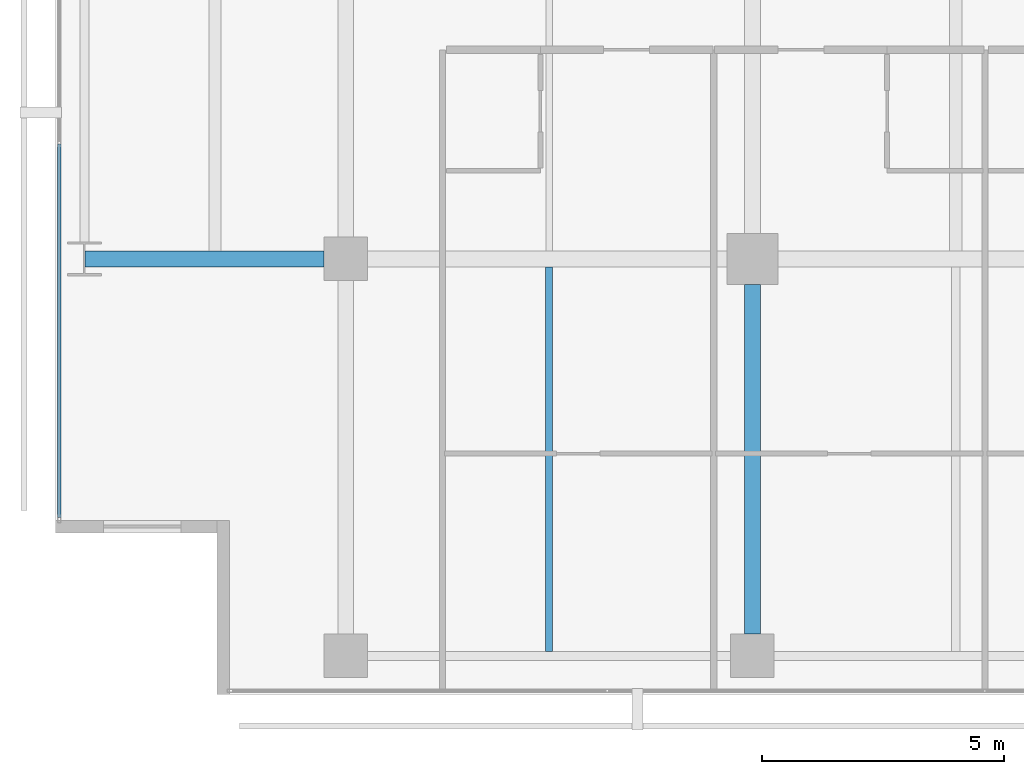
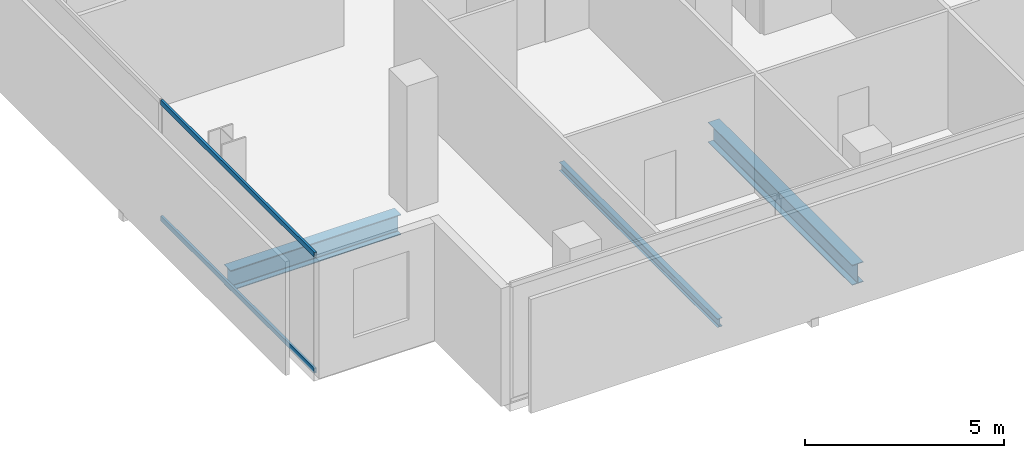
# One storey, part 4 of 40: 3 beams, 2 members, 1 element without a shape of its own.
"""IFC4 building model written with IfcOpenShell, lengths in metres."""

import ifcopenshell
import ifcopenshell.guid

model = None  # the IFC model being written
_history = None  # IfcOwnerHistory: only IFC2X3 demands one
_inside = {}  # id of a spatial element -> (the spatial element, [elements in it])
_under = {}  # id of a project, library or spatial element -> (it, [spatial elements below it])
_declared = {}  # id of a project -> (the project, [libraries it declares])
_typed = {}  # id of a type object -> (the type object, [elements of that type])
_made_of = {}  # id of a material, layer set ... -> (it, [elements and type objects made of it])


def new_model(schema):
    """Start an empty IFC model of exactly this schema.

    Asked for "IFC4X3", IfcOpenShell would pick the latest addendum, in which some entities
    have other attributes; the version numbers below select the first issue.
    IFC2X3 requires an IfcOwnerHistory on every rooted entity: one is made here for all.
    """
    global model, _history
    if schema == "IFC4X3":
        model = ifcopenshell.file(schema_version=(4, 3, 0, 0))
    else:
        model = ifcopenshell.file(schema=schema)
    _inside.clear()
    _under.clear()
    _declared.clear()
    _typed.clear()
    _made_of.clear()
    _history = None
    if model.schema == "IFC2X3":
        org = make("IfcOrganization", Name="unknown")
        user = make(
            "IfcPersonAndOrganization",
            ThePerson=make("IfcPerson", FamilyName="unknown"),
            TheOrganization=org,
        )
        app = make(
            "IfcApplication",
            ApplicationDeveloper=org,
            Version="unknown",
            ApplicationFullName="unknown",
            ApplicationIdentifier="unknown",
        )
        _history = make(
            "IfcOwnerHistory",
            OwningUser=user,
            OwningApplication=app,
            ChangeAction="ADDED",
            CreationDate=0,
        )
    return model


def make(cls, **values):
    """One entity of the class cls with the attributes given. An attribute that is None is left unset."""
    return model.create_entity(
        cls, **{name: value for name, value in values.items() if value is not None}
    )


def rooted(cls, **values):
    """An entity with a GlobalId (a new one), such as an element, a storey or a relation."""
    return make(cls, GlobalId=ifcopenshell.guid.new(), OwnerHistory=_history, **values)


def si_unit(unit_type, name, prefix=None):
    """IfcSIUnit, for example si_unit("LENGTHUNIT", "METRE", prefix="MILLI")."""
    return make("IfcSIUnit", UnitType=unit_type, Prefix=prefix, Name=name)


def assignment(units):
    """IfcUnitAssignment: the units of a project."""
    return None if units is None else make("IfcUnitAssignment", Units=units)


def point(xyz):
    """IfcCartesianPoint."""
    return None if xyz is None else make("IfcCartesianPoint", Coordinates=xyz)


def direction(xyz):
    """IfcDirection."""
    return None if xyz is None else make("IfcDirection", DirectionRatios=xyz)


def frame(location, z_axis=None, x_axis=None):
    """IfcAxis2Placement3D, a coordinate frame: its origin and axes. An axis left out is left unset."""
    return make(
        "IfcAxis2Placement3D",
        Location=point(location),
        Axis=direction(z_axis),
        RefDirection=direction(x_axis),
    )


def frame_2d(location, x_axis=None):
    """IfcAxis2Placement2D, a coordinate frame in the plane: its origin and x axis."""
    return make(
        "IfcAxis2Placement2D", Location=point(location), RefDirection=direction(x_axis)
    )


def origin():
    """The frame at (0, 0, 0) with its axes left unset."""
    return frame((0.0, 0.0, 0.0))


def origin_2d():
    """The frame at (0, 0) in the plane with its x axis left unset."""
    return frame_2d((0.0, 0.0))


def place(relative_to, where):
    """IfcLocalPlacement: puts the frame where relative to a parent placement (None: the world)."""
    return make(
        "IfcLocalPlacement", PlacementRelTo=relative_to, RelativePlacement=where
    )


def context(
    kind, dimensions, precision=None, world=None, true_north=None, identifier=None
):
    """IfcGeometricRepresentationContext, for example the 3D "Model" context."""
    return make(
        "IfcGeometricRepresentationContext",
        ContextIdentifier=identifier,
        ContextType=kind,
        CoordinateSpaceDimension=dimensions,
        Precision=precision,
        WorldCoordinateSystem=world,
        TrueNorth=true_north,
    )


def subcontext(parent, identifier, kind, view, scale=None):
    """IfcGeometricRepresentationSubContext, for example "Body" below "Model"."""
    return make(
        "IfcGeometricRepresentationSubContext",
        ContextIdentifier=identifier,
        ContextType=kind,
        ParentContext=parent,
        TargetScale=scale,
        TargetView=view,
    )


def project(units=None, contexts=None):
    """IfcProject with its units and contexts."""
    return rooted(
        "IfcProject",
        Name="project",
        RepresentationContexts=contexts,
        UnitsInContext=assignment(units),
    )


def spatial(cls, under=None, at=None, **own):
    """A site, building, storey or space (cls), placed at a placement, below another one or the project."""
    s = rooted(cls, ObjectPlacement=at, **own)
    if under is not None:
        _under.setdefault(under.id(), (under, []))[1].append(s)
    return s


def profile(cls, at=None, kind="AREA", **sizes):
    """A parametric profile (cls). Its sizes go by their IFC names, for example OverallWidth=200.0."""
    return make(cls, ProfileType=kind, Position=at, **sizes)


def hollow_rectangle(**sizes):
    """IfcRectangleHollowProfileDef."""
    return profile("IfcRectangleHollowProfileDef", **sizes)


def i_section(**sizes):
    """IfcIShapeProfileDef."""
    return profile("IfcIShapeProfileDef", **sizes)


def extrude(swept, where, along, depth):
    """IfcExtrudedAreaSolid: the profile swept, set in the frame where, extruded along a direction by depth."""
    return make(
        "IfcExtrudedAreaSolid",
        SweptArea=swept,
        Position=where,
        ExtrudedDirection=direction(along),
        Depth=depth,
    )


def shape(context_of_items, identifier, shape_type, items):
    """IfcShapeRepresentation: the items that make up one representation, for example the "Body"."""
    return make(
        "IfcShapeRepresentation",
        ContextOfItems=context_of_items,
        RepresentationIdentifier=identifier,
        RepresentationType=shape_type,
        Items=items,
    )


def material(Name=None, Category=None):
    """IfcMaterial."""
    return make("IfcMaterial", Name=Name, Category=Category)


def layer(
    of_material, thickness, ventilated=None, Name=None, Category=None, Priority=None
):
    """IfcMaterialLayer: one layer of a wall or slab, of a material (None: an air gap)."""
    return make(
        "IfcMaterialLayer",
        Material=of_material,
        LayerThickness=thickness,
        IsVentilated=ventilated,
        Name=Name,
        Category=Category,
        Priority=Priority,
    )


def layer_set(layers, Name=None):
    """IfcMaterialLayerSet."""
    return make("IfcMaterialLayerSet", MaterialLayers=layers, LayerSetName=Name)


def material_profile(
    of_material, cross_section, Name=None, Category=None, Priority=None
):
    """IfcMaterialProfile: a cross section and its material."""
    return make(
        "IfcMaterialProfile",
        Name=Name,
        Material=of_material,
        Profile=cross_section,
        Priority=Priority,
        Category=Category,
    )


def profile_set(profiles, Name=None, composite=None):
    """IfcMaterialProfileSet."""
    return make(
        "IfcMaterialProfileSet",
        Name=Name,
        MaterialProfiles=profiles,
        CompositeProfile=composite,
    )


def made_of(thing, what):
    """Note that an element or type object is made of a material, layer set ...; save() writes the relation."""
    if what is not None:
        _made_of.setdefault(what.id(), (what, []))[1].append(thing)
    return thing


def type_object(cls, material=None, **own):
    """A type object (cls), such as IfcWallType, which elements share."""
    return made_of(rooted(cls, **own), material)


def element(
    cls,
    number,
    at=None,
    inside=None,
    cuts=None,
    type_object=None,
    material=None,
    context=None,
    identifier="Body",
    shape_type=None,
    held_by="IfcProductDefinitionShape",
    body=None,
    shapes=None,
    **own,
):
    """One element of the class cls, such as IfcWall. Its Tag is "e" and its number.

    at: its placement. inside: the storey or other place that contains it. cuts: it is an
    opening in that element (IfcRelVoidsElement). A single representation is given by context,
    identifier, shape_type and body (its items); several are given by shapes. held_by: the class
    of the entity that holds the representations. save() writes the other relations.
    """
    e = rooted(cls, Tag="e%d" % number, ObjectPlacement=at, **own)
    if body is not None:
        shapes = [shape(context, identifier, shape_type, body)]
    if shapes is not None:
        e.Representation = make(held_by, Representations=shapes)
    if inside is not None:
        _inside.setdefault(inside.id(), (inside, []))[1].append(e)
    if cuts is not None:
        rooted(
            "IfcRelVoidsElement", RelatingBuildingElement=cuts, RelatedOpeningElement=e
        )
    if type_object is not None:
        _typed.setdefault(type_object.id(), (type_object, []))[1].append(e)
    return made_of(e, material)


def aggregate(whole, parts):
    """IfcRelAggregates: a whole, such as a stair, and the parts it consists of."""
    return rooted("IfcRelAggregates", RelatingObject=whole, RelatedObjects=parts)


def save(model, path):
    """Write the relations noted so far, then the file.

    IfcRelAggregates (storeys below a building ...), IfcRelContainedInSpatialStructure (elements
    in a storey), IfcRelDefinesByType, IfcRelAssociatesMaterial and IfcRelDeclares: one each for
    every whole, place, type object, material and project.
    """
    for whole, parts in _under.values():
        aggregate(whole, parts)
    for where, things in _inside.values():
        rooted(
            "IfcRelContainedInSpatialStructure",
            RelatedElements=things,
            RelatingStructure=where,
        )
    for kind, things in _typed.values():
        rooted("IfcRelDefinesByType", RelatedObjects=things, RelatingType=kind)
    for what, things in _made_of.values():
        rooted("IfcRelAssociatesMaterial", RelatedObjects=things, RelatingMaterial=what)
    for by, libraries in _declared.values():
        rooted("IfcRelDeclares", RelatingContext=by, RelatedDefinitions=libraries)
    model.write(path)


model = new_model("IFC4")

# Units and contexts
model_context = context("Model", 3, precision=1e-05, world=origin(), true_north=direction((0.0, 1.0)))
body_context = subcontext(model_context, "Body", "Model", "MODEL_VIEW")
ifc_project = project(units=[si_unit("LENGTHUNIT", "METRE"), si_unit("AREAUNIT", "SQUARE_METRE"), si_unit("VOLUMEUNIT", "CUBIC_METRE"), si_unit("PLANEANGLEUNIT", "RADIAN"), si_unit("MASSUNIT", "GRAM", prefix="KILO")], contexts=[model_context])

# Site, building, storey
site_placement = place(None, origin())
site = spatial("IfcSite", under=ifc_project, at=site_placement, CompositionType="ELEMENT")
building_placement = place(site_placement, origin())
building = spatial("IfcBuilding", under=site, at=building_placement, Name="Maruvema Waterfront Hotel and Observation Tower", CompositionType="ELEMENT")
storey_placement = place(building_placement, frame((0.0, 0.0, 53.89990234375)))
storey = spatial("IfcBuildingStorey", under=building, at=storey_placement, Name="L12", CompositionType="ELEMENT", Elevation=53.89990234375)

# Curtain wall, members
ifc_material_1 = material(Name="Anodised bronze aluminium and solar-control low-E IGU", Category="aluminium")
ifc_layer = layer(ifc_material_1, 0.159912109375, Name="Zone 1 Bronze Inner Thermal Curtain Wall System CW-02")
ifc_layer_set = layer_set([ifc_layer], Name="Anodised bronze aluminium and solar-control low-E IGU")
curtain_wall_type = type_object("IfcCurtainWallType", Name="Zone 1 Bronze Inner Thermal Curtain Wall System CW-02", PredefinedType="USERDEFINED", material=ifc_layer_set)
curtain_wall_placement = place(storey_placement, origin())
curtain_wall = element("IfcCurtainWall", 1, at=curtain_wall_placement, inside=storey, type_object=curtain_wall_type, Name="L12 Curtain Wall CW-L12-W", ObjectType="UNITISED CURTAIN WALL", PredefinedType="USERDEFINED")
ifc_material_2 = material(Name="Anodised architectural bronze aluminium", Category="aluminium")
ifc_material_profile_1 = material_profile(ifc_material_2, hollow_rectangle(XDim=0.070068359375, YDim=0.14990234375, WallThickness=0.00390625, at=origin_2d()), Name="ALU-T70x150")
ifc_profile_set_1 = profile_set([ifc_material_profile_1], Name="Anodised architectural bronze aluminium")
member_type = type_object("IfcMemberType", Name="Curtain Wall Horizontal Transom ALU-T70x150", PredefinedType="USERDEFINED", material=ifc_profile_set_1)
member_1_placement = place(storey_placement, frame((10.8798828125, 11.3701171875, 0.030029296875), z_axis=(0.0, -1.0, 0.0), x_axis=(1.0, 0.0, 0.0)))
member_1 = element("IfcMember", 2, at=member_1_placement, type_object=member_type, Name="CW-02 transom 6.1", ObjectType="TRANSOM", PredefinedType="USERDEFINED", context=body_context, shape_type="SweptSolid", body=[
    extrude(hollow_rectangle(XDim=0.070068359375, YDim=0.14990234375, WallThickness=0.00390625, at=origin_2d()), origin(), (0.0, 0.0, 1.0), 7.710205078125),
])
member_2_placement = place(storey_placement, frame((10.8798828125, 11.3701171875, 3.580078125), z_axis=(0.0, -1.0, 0.0), x_axis=(1.0, 0.0, 0.0)))
member_2 = element("IfcMember", 3, at=member_2_placement, type_object=member_type, Name="CW-02 transom 6.2", ObjectType="TRANSOM", PredefinedType="USERDEFINED", context=body_context, shape_type="SweptSolid", body=[
    extrude(hollow_rectangle(XDim=0.070068359375, YDim=0.14990234375, WallThickness=0.00390625, at=origin_2d()), origin(), (0.0, 0.0, 1.0), 7.710205078125),
])
aggregate(curtain_wall, [member_1, member_2])

# Beams
ifc_material_3 = material(Name="Steel ASTM A572 Grade 50", Category="steel")
ifc_material_profile_2 = material_profile(ifc_material_3, i_section(OverallWidth=0.326904296875, OverallDepth=0.6220703125, WebThickness=0.015380859375, FlangeThickness=0.0244140625, FilletRadius=0.01806640625, at=origin_2d()), Name="W610x195.0")
ifc_profile_set_2 = profile_set([ifc_material_profile_2], Name="Steel ASTM A572 Grade 50")
beam_type_1 = type_object("IfcBeamType", Name="Primary Floor Girder W610x195.0", PredefinedType="BEAM", material=ifc_profile_set_2)
beam_1_placement = place(storey_placement, frame((11.4140625, 9.0, -0.55078125), z_axis=(1.0, 0.0, 0.0), x_axis=(0.0, 1.0, 0.0)))
element("IfcBeam", 4, at=beam_1_placement, inside=storey, type_object=beam_type_1, Name="L12 Floor Girder EW-06", PredefinedType="BEAM", context=body_context, shape_type="SweptSolid", body=[
    extrude(i_section(OverallWidth=0.326904296875, OverallDepth=0.6220703125, WebThickness=0.015380859375, FlangeThickness=0.0244140625, FilletRadius=0.01806640625, at=origin_2d()), origin(), (0.0, 0.0, 1.0), 4.93603515625),
])
beam_2_placement = place(storey_placement, frame((25.199951171875, 1.25, -0.55078125), z_axis=(0.0, 1.0, 0.0), x_axis=(-1.0, 0.0, 0.0)))
element("IfcBeam", 5, at=beam_2_placement, inside=storey, type_object=beam_type_1, Name="L12 Floor Girder NS-11", PredefinedType="BEAM", context=body_context, shape_type="SweptSolid", body=[
    extrude(i_section(OverallWidth=0.326904296875, OverallDepth=0.6220703125, WebThickness=0.015380859375, FlangeThickness=0.0244140625, FilletRadius=0.01806640625, at=origin_2d()), origin(), (0.0, 0.0, 1.0), 7.22509765625),
])
ifc_material_4 = material(Name="Steel ASTM A572 Grade 50", Category="steel")
ifc_material_profile_3 = material_profile(ifc_material_4, i_section(OverallWidth=0.14599609375, OverallDepth=0.258056640625, WebThickness=0.006103515625, FlangeThickness=0.009033203125, FilletRadius=0.012939453125, at=origin_2d()), Name="W250x32.7")
ifc_profile_set_3 = profile_set([ifc_material_profile_3], Name="Steel ASTM A572 Grade 50")
beam_type_2 = type_object("IfcBeamType", Name="Secondary Floor Joist W250x32.7", PredefinedType="JOIST", material=ifc_profile_set_3)
beam_3_placement = place(storey_placement, frame((21.0, 0.89501953125, -0.368896484375), z_axis=(0.0, 1.0, 0.0), x_axis=(-1.0, 0.0, 0.0)))
element("IfcBeam", 6, at=beam_3_placement, inside=storey, type_object=beam_type_2, Name="L12 Secondary Floor Joist JS-05", PredefinedType="JOIST", context=body_context, shape_type="SweptSolid", body=[
    extrude(i_section(OverallWidth=0.14599609375, OverallDepth=0.258056640625, WebThickness=0.006103515625, FlangeThickness=0.009033203125, FilletRadius=0.012939453125, at=origin_2d()), origin(), (0.0, 0.0, 1.0), 7.94140625),
])

save(model, "model.ifc")
